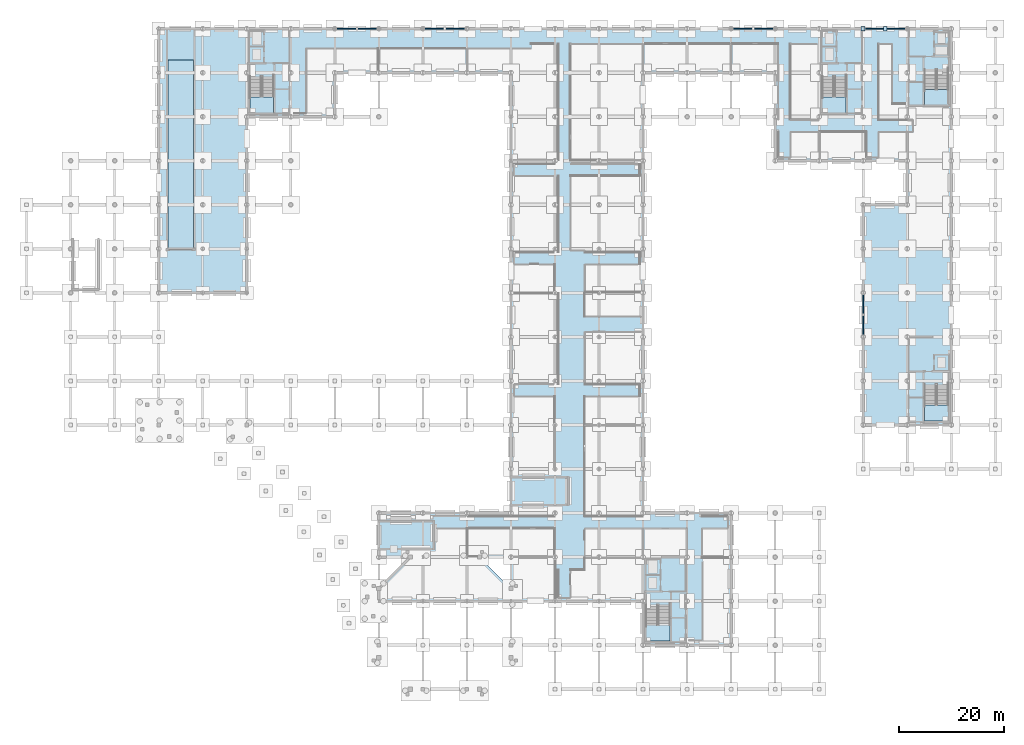
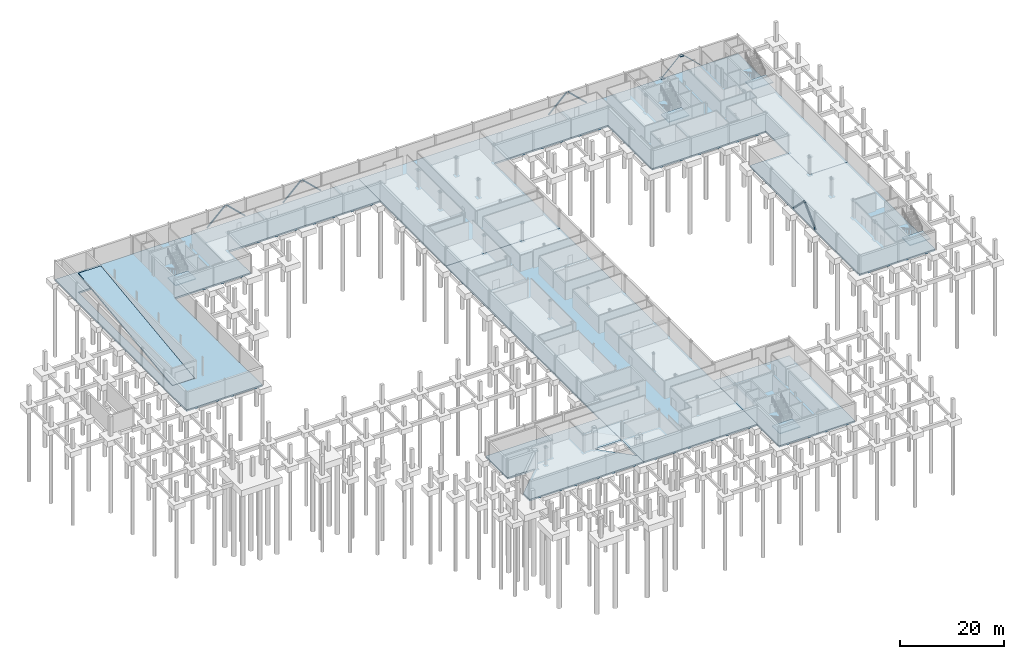
# One storey, part 23 of 43: 12 slabs, 10 members, 2 plates, 5 elements without a shape of their own.
"""IFC4 building model written with IfcOpenShell, lengths in metres."""

from ifc_helpers import new_model, si_unit, direction, frame, origin, origin_2d, place, context, subcontext, project, spatial, polyline, rectangle, hollow_circle, outline, extrude, material, layer, layer_set, material_profile, profile_set, type_object, element, aggregate, save


model = new_model("IFC4")

# Units and contexts
model_context = context("Model", 3, precision=1e-05, world=origin(), true_north=direction((0.0, 1.0)))
body_context = subcontext(model_context, "Body", "Model", "MODEL_VIEW")
ifc_project = project(units=[si_unit("LENGTHUNIT", "METRE"), si_unit("AREAUNIT", "SQUARE_METRE"), si_unit("VOLUMEUNIT", "CUBIC_METRE"), si_unit("PLANEANGLEUNIT", "RADIAN"), si_unit("MASSUNIT", "GRAM", prefix="KILO")], contexts=[model_context])

# Site, building, storey
site_placement = place(None, origin())
site = spatial("IfcSite", under=ifc_project, at=site_placement, CompositionType="ELEMENT")
building_placement = place(site_placement, origin())
building = spatial("IfcBuilding", under=site, at=building_placement, Name="Mersafa Astral City Hall", CompositionType="ELEMENT")
storey_placement = place(building_placement, frame((0.0, 0.0, -4.5)))
storey = spatial("IfcBuildingStorey", under=building, at=storey_placement, Name="B1", CompositionType="ELEMENT", Elevation=-4.5)

# Members
ifc_material_1 = material(Name="Steel S355", Category="steel")
ifc_material_profile_1 = material_profile(ifc_material_1, hollow_circle(Radius=0.096923828125, WallThickness=0.010009765625, at=origin_2d()), Name="CHS 193.7x10")
ifc_profile_set_1 = profile_set([ifc_material_profile_1], Name="Steel S355")
member_type_1 = type_object("IfcMemberType", Name="STR-MBR-BRACE-CHS194", PredefinedType="BRACE", material=ifc_profile_set_1)
for number, where, z_axis, x_axis, name in (
    (1, (159.597900390625, 126.0, 0.239990234375), (0.720466840277, 0.0, 0.693489388571), (0.0, 1.0, 0.0), "B1 Chevron lateral brace 22A"),
    (2, (168.001953125, 126.0, 0.239990234375), (-0.720466840277, 0.0, 0.693489388571), (0.0, -1.0, 0.0), "B1 Chevron lateral brace 22B"),
):
    element("IfcMember", number, at=place(storey_placement, frame(where, z_axis=z_axis, x_axis=x_axis)), inside=storey, type_object=member_type_1, Name=name, PredefinedType="BRACE", context=body_context, shape_type="SweptSolid", body=[
        extrude(hollow_circle(Radius=0.096923828125, WallThickness=0.010009765625, at=origin_2d()), origin(), (0.0, 0.0, 1.0), 5.637939453125),
    ])
ifc_material_profile_2 = material_profile(ifc_material_1, hollow_circle(Radius=0.161865234375, WallThickness=0.01611328125, at=origin_2d()), Name="CHS 323.9x16")
ifc_profile_set_2 = profile_set([ifc_material_profile_2], Name="Steel S355")
member_type_2 = type_object("IfcMemberType", Name="STR-MBR-BRACE-CHS324", PredefinedType="BRACE", material=ifc_profile_set_2)
for number, where, z_axis, x_axis, name in (
    (3, (58.798095703125, 126.0, 0.239990234375), (0.720466840277, 0.0, 0.693489388571), (0.0, 1.0, 0.0), "B1 Chevron lateral brace 1A"),
    (4, (67.201904296875, 126.0, 0.239990234375), (-0.720466840277, 0.0, 0.693489388571), (0.0, -1.0, 0.0), "B1 Chevron lateral brace 1B"),
    (5, (75.597900390625, 126.0, 0.239990234375), (0.720466840277, 0.0, 0.693489388571), (0.0, 1.0, 0.0), "B1 Chevron lateral brace 7A"),
    (6, (84.001953125, 126.0, 0.239990234375), (-0.720466840277, 0.0, 0.693489388571), (0.0, -1.0, 0.0), "B1 Chevron lateral brace 7B"),
):
    element("IfcMember", number, at=place(storey_placement, frame(where, z_axis=z_axis, x_axis=x_axis)), inside=storey, type_object=member_type_2, Name=name, PredefinedType="BRACE", context=body_context, shape_type="SweptSolid", body=[
        extrude(hollow_circle(Radius=0.161865234375, WallThickness=0.01611328125, at=origin_2d()), origin(), (0.0, 0.0, 1.0), 5.637939453125),
    ])
for number, where, z_axis, x_axis, name in (
    (7, (134.39794921875, 126.0, 0.239990234375), (0.717810222409, 0.0, 0.696238812912), (0.0, 1.0, 0.0), "B1 Chevron lateral brace 13A"),
    (8, (142.802001953125, 126.0, 0.239990234375), (-0.717810222409, 0.0, 0.696238812912), (0.0, -1.0, 0.0), "B1 Chevron lateral brace 13B"),
):
    element("IfcMember", number, at=place(storey_placement, frame(where, z_axis=z_axis, x_axis=x_axis)), inside=storey, type_object=member_type_2, Name=name, PredefinedType="BRACE", context=body_context, shape_type="SweptSolid", body=[
        extrude(hollow_circle(Radius=0.161865234375, WallThickness=0.01611328125, at=origin_2d()), origin(), (0.0, 0.0, 1.0), 5.658935546875),
    ])
for number, where, z_axis, x_axis, name in (
    (9, (159.60009765625, 67.197998046875, 0.239990234375), (0.0, 0.712524656939, 0.701647071721), (-1.0, 0.0, 0.0), "B1 Chevron lateral brace 31A"),
    (10, (159.60009765625, 75.60205078125, 0.239990234375), (0.0, -0.712524656939, 0.701647071721), (1.0, 0.0, 0.0), "B1 Chevron lateral brace 31B"),
):
    element("IfcMember", number, at=place(storey_placement, frame(where, z_axis=z_axis, x_axis=x_axis)), inside=storey, type_object=member_type_2, Name=name, PredefinedType="BRACE", context=body_context, shape_type="SweptSolid", body=[
        extrude(hollow_circle(Radius=0.161865234375, WallThickness=0.01611328125, at=origin_2d()), origin(), (0.0, 0.0, 1.0), 5.700927734375),
    ])

# Stair, slab
ifc_material_2 = material(Name="Concrete C40/50", Category="concrete")
stair_type = type_object("IfcStairType", Name="STAIR", PredefinedType="HALF_TURN_STAIR", material=ifc_material_2)
stair_1_placement = place(storey_placement, origin())
stair_1 = element("IfcStair", 11, at=stair_1_placement, inside=storey, type_object=stair_type, Name="B1 Protected Exit Stair ST1", PredefinedType="HALF_TURN_STAIR")
ifc_layer_1 = layer(ifc_material_2, 0.199951171875, Name="Concrete C40/50")
ifc_layer_set_1 = layer_set([ifc_layer_1], Name="Concrete C40/50 — STAIR-LANDING")
slab_type_1 = type_object("IfcSlabType", Name="STAIR-LANDING", PredefinedType="LANDING", material=ifc_layer_set_1)
slab_1_placement = place(storey_placement, frame((0.0, 0.0, 2.050048828125)))
slab_1 = element("IfcSlab", 12, at=slab_1_placement, type_object=slab_type_1, Name="ST1 landing 1", PredefinedType="LANDING", context=body_context, shape_type="SweptSolid", body=[
    extrude(outline(polyline([(151.780029296875, 113.0), (151.780029296875, 109.949951171875), (156.340087890625, 109.949951171875), (156.340087890625, 113.0), (151.780029296875, 113.0)])), origin(), (0.0, 0.0, 1.0), 0.199951171875),
])
aggregate(stair_1, [slab_1])

stair_2_placement = place(storey_placement, origin())
stair_2 = element("IfcStair", 13, at=stair_2_placement, inside=storey, type_object=stair_type, Name="B1 Protected Exit Stair ST2", PredefinedType="HALF_TURN_STAIR")
slab_2_placement = place(storey_placement, frame((0.0, 0.0, 2.050048828125)))
slab_2 = element("IfcSlab", 14, at=slab_2_placement, type_object=slab_type_1, Name="ST2 landing 1", PredefinedType="LANDING", context=body_context, shape_type="SweptSolid", body=[
    extrude(outline(polyline([(171.260009765625, 114.360107421875), (171.260009765625, 111.449951171875), (175.820068359375, 111.449951171875), (175.820068359375, 114.360107421875), (171.260009765625, 114.360107421875)])), origin(), (0.0, 0.0, 1.0), 0.199951171875),
])
aggregate(stair_2, [slab_2])

stair_3_placement = place(storey_placement, origin())
stair_3 = element("IfcStair", 15, at=stair_3_placement, inside=storey, type_object=stair_type, Name="B1 Protected Exit Stair ST3", PredefinedType="HALF_TURN_STAIR")
slab_3_placement = place(storey_placement, frame((0.0, 0.0, 2.050048828125)))
slab_3 = element("IfcSlab", 16, at=slab_3_placement, type_object=slab_type_1, Name="ST3 landing 1", PredefinedType="LANDING", context=body_context, shape_type="SweptSolid", body=[
    extrude(outline(polyline([(42.580078125, 113.0), (42.580078125, 109.949951171875), (47.139892578125, 109.949951171875), (47.139892578125, 113.0), (42.580078125, 113.0)])), origin(), (0.0, 0.0, 1.0), 0.199951171875),
])
aggregate(stair_3, [slab_3])

stair_4_placement = place(storey_placement, origin())
stair_4 = element("IfcStair", 17, at=stair_4_placement, inside=storey, type_object=stair_type, Name="B1 Protected Exit Stair ST4", PredefinedType="HALF_TURN_STAIR")
slab_4_placement = place(storey_placement, frame((0.0, 0.0, 2.050048828125)))
slab_4 = element("IfcSlab", 18, at=slab_4_placement, type_object=slab_type_1, Name="ST4 landing 1", PredefinedType="LANDING", context=body_context, shape_type="SweptSolid", body=[
    extrude(outline(polyline([(171.260009765625, 54.199951171875), (171.260009765625, 51.14990234375), (175.820068359375, 51.14990234375), (175.820068359375, 54.199951171875), (171.260009765625, 54.199951171875)])), origin(), (0.0, 0.0, 1.0), 0.199951171875),
])
aggregate(stair_4, [slab_4])

stair_5_placement = place(storey_placement, origin())
stair_5 = element("IfcStair", 19, at=stair_5_placement, inside=storey, type_object=stair_type, Name="B1 Protected Exit Stair ST5", PredefinedType="HALF_TURN_STAIR")
slab_5_placement = place(storey_placement, frame((0.0, 0.0, 2.050048828125)))
slab_5 = element("IfcSlab", 20, at=slab_5_placement, type_object=slab_type_1, Name="ST5 landing 1", PredefinedType="LANDING", context=body_context, shape_type="SweptSolid", body=[
    extrude(outline(polyline([(118.179931640625, 12.199951171875), (118.179931640625, 9.14990234375), (122.739990234375, 9.14990234375), (122.739990234375, 12.199951171875), (118.179931640625, 12.199951171875)])), origin(), (0.0, 0.0, 1.0), 0.199951171875),
])
aggregate(stair_5, [slab_5])

# Plates
ifc_layer_2 = layer(ifc_material_1, 0.029052734375, Name="Steel S355")
ifc_layer_set_2 = layer_set([ifc_layer_2], Name="Steel S355 — STR-PLT-NP-16")
plate_type_1 = type_object("IfcPlateType", Name="STR-PLT-NP-16", PredefinedType="SHEET", material=ifc_layer_set_2)
plate_1_placement = place(storey_placement, frame((163.800048828125, 126.0, 3.88525390625), z_axis=(0.0, 0.0, 1.0), x_axis=(1.0, 0.0, 0.0)))
element("IfcPlate", 21, at=plate_1_placement, inside=storey, type_object=plate_type_1, Name="B1 Structural steel brace gusset plate NP-16", PredefinedType="SHEET", context=body_context, shape_type="SweptSolid", body=[
    extrude(rectangle(XDim=0.735107421875, YDim=0.85009765625, at=origin_2d()), origin(), (0.0, 0.0, 1.0), 0.029052734375),
])
ifc_layer_3 = layer(ifc_material_1, 0.030029296875, Name="Steel S355")
ifc_layer_set_3 = layer_set([ifc_layer_3], Name="Steel S355 — STR-PLT-NP-17")
plate_type_2 = type_object("IfcPlateType", Name="STR-PLT-NP-17", PredefinedType="SHEET", material=ifc_layer_set_3)
plate_2_placement = place(storey_placement, frame((159.597900390625, 126.0, 0.10498046875), z_axis=(0.0, 0.0, 1.0), x_axis=(1.0, 0.0, 0.0)))
element("IfcPlate", 22, at=plate_2_placement, inside=storey, type_object=plate_type_2, Name="B1 Structural steel brace gusset plate NP-17", PredefinedType="SHEET", context=body_context, shape_type="SweptSolid", body=[
    extrude(rectangle(XDim=0.760009765625, YDim=0.8798828125, at=origin_2d()), origin(), (0.0, 0.0, 1.0), 0.030029296875),
])

# Slabs
ifc_layer_4 = layer(ifc_material_2, 0.39990234375, Name="Concrete C40/50")
ifc_layer_set_4 = layer_set([ifc_layer_4], Name="Concrete C40/50 — STR-SLAB-BASE-400")
slab_type_2 = type_object("IfcSlabType", Name="STR-SLAB-BASE-400", PredefinedType="BASESLAB", material=ifc_layer_set_4)
slab_6_placement = place(storey_placement, frame((0.0, 0.0, -0.39990234375)))
element("IfcSlab", 23, at=slab_6_placement, inside=storey, type_object=slab_type_2, Name="B1 V1 structural floor slab 1", PredefinedType="BASESLAB", context=body_context, shape_type="SweptSolid", body=[
    extrude(outline(polyline([(75.60009765625, 33.60009765625), (84.0, 33.60009765625), (92.39990234375, 33.60009765625), (92.39990234375, 25.199951171875), (92.39990234375, 25.199951171875), (86.39990234375, 25.199951171875), (92.39990234375, 19.199951171875), (92.39990234375, 16.800048828125), (84.0, 16.800048828125), (75.60009765625, 16.800048828125), (67.199951171875, 16.800048828125), (67.199951171875, 19.199951171875), (73.199951171875, 25.199951171875), (67.199951171875, 25.199951171875), (67.199951171875, 25.199951171875), (67.199951171875, 33.60009765625), (75.60009765625, 33.60009765625)])), origin(), (0.0, 0.0, 1.0), 0.39990234375),
])
slab_7_placement = place(storey_placement, frame((0.0, 0.0, -0.39990234375)))
element("IfcSlab", 24, at=slab_7_placement, inside=storey, type_object=slab_type_2, Name="B1 V2 structural floor slab 1", PredefinedType="BASESLAB", context=body_context, shape_type="SweptSolid", body=[
    extrude(outline(polyline([(92.39990234375, 50.39990234375), (92.39990234375, 58.800048828125), (92.39990234375, 67.199951171875), (92.39990234375, 75.60009765625), (92.39990234375, 84.0), (92.39990234375, 92.39990234375), (100.800048828125, 92.39990234375), (109.199951171875, 92.39990234375), (117.60009765625, 92.39990234375), (117.60009765625, 84.0), (117.60009765625, 75.60009765625), (117.60009765625, 67.199951171875), (117.60009765625, 58.800048828125), (117.60009765625, 50.39990234375), (117.60009765625, 42.0), (117.60009765625, 33.60009765625), (117.60009765625, 25.199951171875), (117.60009765625, 16.800048828125), (109.199951171875, 16.800048828125), (100.800048828125, 16.800048828125), (92.407958984375, 16.800048828125), (92.407958984375, 19.203369140625), (92.39990234375, 19.211181640625), (92.39990234375, 25.19189453125), (92.407958984375, 25.19189453125), (92.407958984375, 33.60791015625), (92.39990234375, 33.60791015625), (92.39990234375, 42.0), (92.39990234375, 50.39990234375)])), origin(), (0.0, 0.0, 1.0), 0.39990234375),
])
slab_8_placement = place(storey_placement, frame((0.0, 0.0, -0.39990234375)))
element("IfcSlab", 25, at=slab_8_placement, inside=storey, type_object=slab_type_2, Name="B1 V3 structural floor slab 1", PredefinedType="BASESLAB", context=body_context, shape_type="SweptSolid", body=[
    extrude(outline(polyline([(126.0, 33.60009765625), (134.39990234375, 33.60009765625), (134.39990234375, 25.199951171875), (134.39990234375, 16.800048828125), (134.39990234375, 8.39990234375), (126.0, 8.39990234375), (117.60009765625, 8.39990234375), (117.60009765625, 16.7919921875), (117.60791015625, 16.7919921875), (117.60791015625, 33.60009765625), (126.0, 33.60009765625)])), origin(), (0.0, 0.0, 1.0), 0.39990234375),
])
slab_9_placement = place(storey_placement, frame((0.0, 0.0, -0.39990234375)))
element("IfcSlab", 26, at=slab_9_placement, inside=storey, type_object=slab_type_2, Name="B1 V4 structural floor slab 1", PredefinedType="BASESLAB", context=body_context, shape_type="SweptSolid", body=[
    extrude(outline(polyline([(25.199951171875, 109.199951171875), (25.199951171875, 117.60009765625), (25.199951171875, 126.0), (33.60009765625, 126.0), (42.0, 126.0), (50.39990234375, 126.0), (58.800048828125, 126.0), (67.199951171875, 126.0), (75.60009765625, 126.0), (84.0, 126.0), (92.39990234375, 126.0), (92.39990234375, 117.60009765625), (84.0, 117.60009765625), (75.60009765625, 117.60009765625), (67.199951171875, 117.60009765625), (58.800048828125, 117.60009765625), (58.800048828125, 109.199951171875), (50.39990234375, 109.199951171875), (42.0, 109.199951171875), (42.0, 100.800048828125), (42.0, 92.39990234375), (42.0, 84.0), (42.0, 75.60009765625), (33.60009765625, 75.60009765625), (25.199951171875, 75.60009765625), (25.199951171875, 84.0), (25.199951171875, 92.39990234375), (25.199951171875, 100.800048828125), (25.199951171875, 109.199951171875)]), holes=[polyline([(26.925048828125, 120.050048828125), (26.925048828125, 83.989990234375), (31.875, 83.989990234375), (31.875, 120.050048828125), (26.925048828125, 120.050048828125)])]), origin(), (0.0, 0.0, 1.0), 0.39990234375),
])
slab_10_placement = place(storey_placement, frame((0.0, 0.0, -0.39990234375)))
element("IfcSlab", 27, at=slab_10_placement, inside=storey, type_object=slab_type_2, Name="B1 V5 structural floor slab 1", PredefinedType="BASESLAB", context=body_context, shape_type="SweptSolid", body=[
    extrude(outline(polyline([(159.60009765625, 84.0), (159.60009765625, 92.39990234375), (168.0, 92.39990234375), (168.0, 84.0), (176.39990234375, 84.0), (176.39990234375, 75.60009765625), (176.39990234375, 67.199951171875), (176.39990234375, 58.800048828125), (176.39990234375, 50.39990234375), (168.0, 50.39990234375), (159.60009765625, 50.39990234375), (159.60009765625, 58.800048828125), (159.60009765625, 67.199951171875), (159.60009765625, 75.60009765625), (159.60009765625, 84.0)])), origin(), (0.0, 0.0, 1.0), 0.39990234375),
])
slab_11_placement = place(storey_placement, frame((0.0, 0.0, -0.39990234375)))
element("IfcSlab", 28, at=slab_11_placement, inside=storey, type_object=slab_type_2, Name="B1 V6 structural floor slab 1", PredefinedType="BASESLAB", context=body_context, shape_type="SweptSolid", body=[
    extrude(outline(polyline([(100.800048828125, 126.0), (109.199951171875, 126.0), (117.60009765625, 126.0), (126.0, 126.0), (134.39990234375, 126.0), (142.800048828125, 126.0), (151.199951171875, 126.0), (159.60009765625, 126.0), (168.0, 126.0), (176.39990234375, 126.0), (176.39990234375, 117.60009765625), (176.39990234375, 109.199951171875), (176.39990234375, 100.800048828125), (176.39990234375, 92.39990234375), (176.39990234375, 84.008056640625), (168.008056640625, 84.008056640625), (168.008056640625, 92.407958984375), (168.0, 92.407958984375), (168.0, 100.800048828125), (159.60009765625, 100.800048828125), (151.199951171875, 100.800048828125), (142.800048828125, 100.800048828125), (142.800048828125, 109.199951171875), (142.800048828125, 117.60009765625), (134.39990234375, 117.60009765625), (126.0, 117.60009765625), (117.60009765625, 117.60009765625), (117.60009765625, 109.199951171875), (117.60009765625, 100.800048828125), (117.60009765625, 92.407958984375), (92.39990234375, 92.407958984375), (92.39990234375, 100.800048828125), (92.39990234375, 109.199951171875), (92.39990234375, 117.592041015625), (92.407958984375, 117.592041015625), (92.407958984375, 126.0), (100.800048828125, 126.0)])), origin(), (0.0, 0.0, 1.0), 0.39990234375),
])
ifc_layer_5 = layer(ifc_material_2, 0.300048828125, Name="Concrete C40/50")
ifc_layer_set_5 = layer_set([ifc_layer_5], Name="Concrete C40/50 — STR-SLAB-RAMP-300")
slab_type_3 = type_object("IfcSlabType", Name="STR-SLAB-RAMP-300", PredefinedType="FLOOR", material=ifc_layer_set_5)
slab_12_placement = place(storey_placement, frame((26.93505859375, 84.0, 0.0), z_axis=(0.0, -0.124034734589, 0.992277876714), x_axis=(1.0, 0.0, 0.0)))
element("IfcSlab", 29, at=slab_12_placement, inside=storey, type_object=slab_type_3, Name="Service Vehicle Ramp Structural Slab VR-1", PredefinedType="FLOOR", context=body_context, shape_type="SweptSolid", body=[
    extrude(outline(polyline([(0.0, 0.0), (4.929931640625, 0.0), (4.929931640625, 36.28015986734347), (0.0, 36.28015986734347), (0.0, 0.0)])), origin(), (0.0, 0.0, -1.0), 0.300048828125),
])

save(model, "model.ifc")
